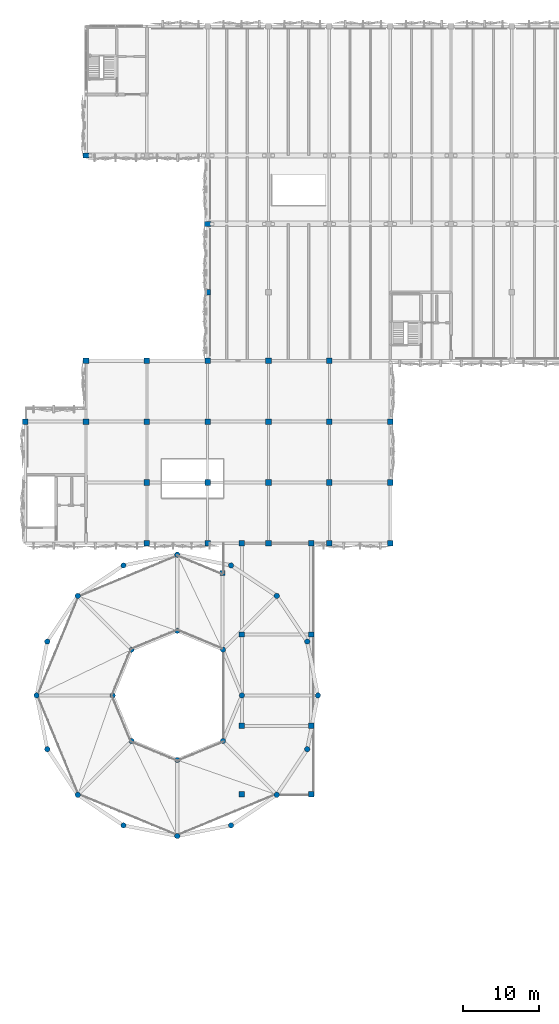
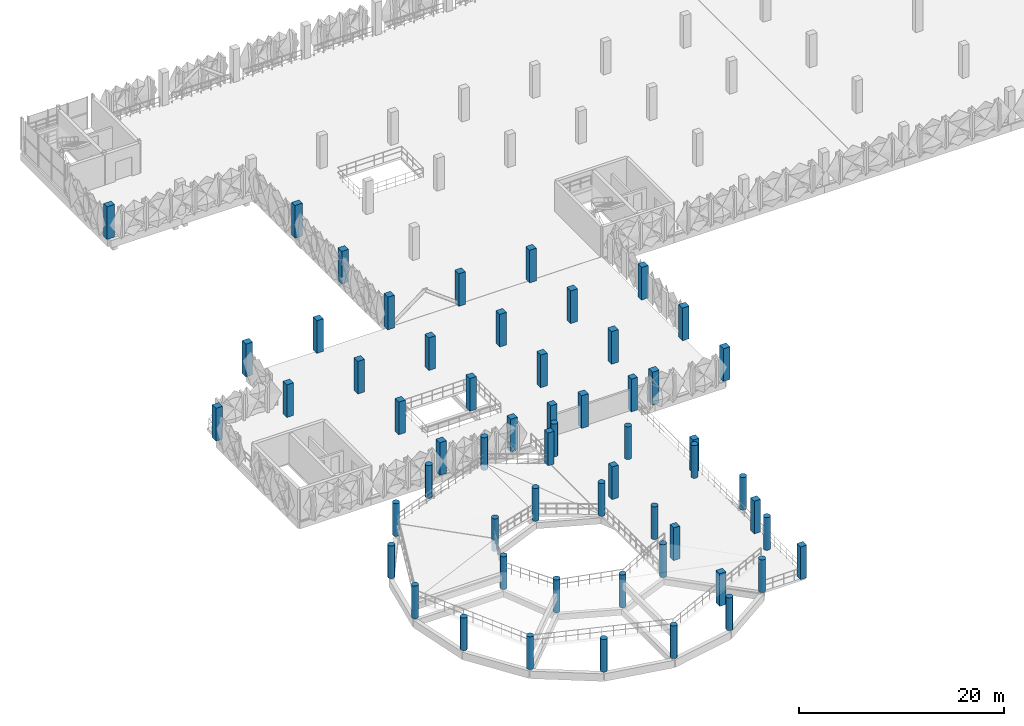
# One storey, part 1 of 83: 58 columns.
"""IFC4 building model written with IfcOpenShell, lengths in metres."""

from ifc_helpers import new_model, si_unit, derived_unit, direction, frame, origin, origin_2d, place, context, subcontext, project, spatial, rectangle, circle, extrude, material, material_profile, profile_set, type_object, element, save


model = new_model("IFC4")

# Units and contexts
model_context = context("Model", 3, precision=1e-05, world=origin(), true_north=direction((0.0, 1.0)))
body_context = subcontext(model_context, "Body", "Model", "MODEL_VIEW")
ifc_project = project(units=[si_unit("LENGTHUNIT", "METRE"), si_unit("AREAUNIT", "SQUARE_METRE"), si_unit("VOLUMEUNIT", "CUBIC_METRE"), si_unit("PLANEANGLEUNIT", "RADIAN"), si_unit("MASSUNIT", "GRAM", prefix="KILO"), si_unit("THERMODYNAMICTEMPERATUREUNIT", "KELVIN"), derived_unit("THERMALTRANSMITTANCEUNIT", [(si_unit("POWERUNIT", "WATT"), 1), (si_unit("AREAUNIT", "SQUARE_METRE"), -1), (si_unit("THERMODYNAMICTEMPERATUREUNIT", "KELVIN"), -1)])], contexts=[model_context])

# Site, building, storey
site_placement = place(None, origin())
site = spatial("IfcSite", under=ifc_project, at=site_placement, CompositionType="ELEMENT")
building_placement = place(site_placement, origin())
building = spatial("IfcBuilding", under=site, at=building_placement, Name="Haiyu Intermodal Mobility Hub", CompositionType="ELEMENT")
storey_placement = place(building_placement, frame((0.0, 0.0, 13.39990234375)))
storey = spatial("IfcBuildingStorey", under=building, at=storey_placement, Name="L03", CompositionType="ELEMENT", Elevation=13.39990234375)

# Columns
ifc_material_1 = material(Name="Precast concrete C40", Category="concrete")
ifc_material_profile_1 = material_profile(ifc_material_1, rectangle(XDim=0.75, YDim=0.75, at=origin_2d()), Name="RC750x750")
ifc_profile_set_1 = profile_set([ifc_material_profile_1], Name="Precast concrete C40")
column_type_1 = type_object("IfcColumnType", Name="COL-CC03", PredefinedType="COLUMN", material=ifc_profile_set_1)
for number, where, z_axis, x_axis, name in (
    (1, (38.0, 113.0, 0.0), (0.0, 0.0, 1.0), (1.0, 0.0, 0.0), "Column V3S-4N L03"),
    (2, (22.0, 96.0, 0.0), (0.0, 0.0, 1.0), (1.0, 0.0, 0.0), "Column V4W-2L L03"),
    (3, (30.0, 88.0, 0.0), (0.0, 0.0, 1.0), (1.0, 0.0, 0.0), "Column V4W-3K L03"),
    (4, (30.0, 96.0, 0.0), (0.0, 0.0, 1.0), (1.0, 0.0, 0.0), "Column V4W-3L L03"),
    (5, (38.0, 88.0, 0.0), (0.0, 0.0, 1.0), (1.0, 0.0, 0.0), "Column V4W-4K L03"),
    (6, (38.0, 96.0, 0.0), (0.0, 0.0, 1.0), (1.0, 0.0, 0.0), "Column V4W-4L L03"),
    (7, (46.0, 88.0, 0.0), (0.0, 0.0, 1.0), (1.0, 0.0, 0.0), "Column V4W-5K L03"),
    (8, (46.0, 96.0, 0.0), (0.0, 0.0, 1.0), (1.0, 0.0, 0.0), "Column V4W-5L L03"),
    (9, (54.0, 88.0, 0.0), (0.0, 0.0, 1.0), (1.0, 0.0, 0.0), "Column V4W-6K L03"),
    (10, (54.0, 96.0, 0.0), (0.0, 0.0, 1.0), (1.0, 0.0, 0.0), "Column V4W-6L L03"),
):
    element("IfcColumn", number, at=place(storey_placement, frame(where, z_axis=z_axis, x_axis=x_axis)), inside=storey, type_object=column_type_1, Name=name, PredefinedType="COLUMN", context=body_context, shape_type="SweptSolid", body=[
        extrude(rectangle(XDim=0.75, YDim=0.75, at=origin_2d()), origin(), (0.0, 0.0, 1.0), 3.900146484375),
    ])
ifc_material_profile_2 = material_profile(ifc_material_1, rectangle(XDim=0.75, YDim=0.75, at=origin_2d()), Name="RC750x750")
ifc_profile_set_2 = profile_set([ifc_material_profile_2], Name="Precast concrete C40")
column_type_2 = type_object("IfcColumnType", Name="COL-CC03-EXT", PredefinedType="COLUMN", material=ifc_profile_set_2)
for number, where, z_axis, x_axis, name in (
    (11, (22.0, 104.0, 0.0), (0.0, 0.0, 1.0), (1.0, 0.0, 0.0), "Column V4-2M L03"),
    (12, (30.0, 104.0, 0.0), (0.0, 0.0, 1.0), (1.0, 0.0, 0.0), "Column V4-3M L03"),
    (13, (38.0, 104.0, 0.0), (0.0, 0.0, 1.0), (1.0, 0.0, 0.0), "Column V4-4M L03"),
    (14, (46.0, 104.0, 0.0), (0.0, 0.0, 1.0), (1.0, 0.0, 0.0), "Column V4-5M L03"),
    (15, (54.0, 104.0, 0.0), (0.0, 0.0, 1.0), (1.0, 0.0, 0.0), "Column V4-6M L03"),
    (16, (14.0, 96.0, 0.0), (0.0, 0.0, 1.0), (1.0, 0.0, 0.0), "Column V4W-1L L03"),
    (17, (30.0, 80.0, 0.0), (0.0, 0.0, 1.0), (1.0, 0.0, 0.0), "Column V4W-3J L03"),
    (18, (38.0, 80.0, 0.0), (0.0, 0.0, 1.0), (1.0, 0.0, 0.0), "Column V4W-4J L03"),
    (19, (46.0, 80.0, 0.0), (0.0, 0.0, 1.0), (1.0, 0.0, 0.0), "Column V4W-5J L03"),
    (20, (54.0, 80.0, 0.0), (0.0, 0.0, 1.0), (1.0, 0.0, 0.0), "Column V4W-6J L03"),
    (21, (62.0, 80.0, 0.0), (0.0, 0.0, 1.0), (1.0, 0.0, 0.0), "Column V4W-7J L03"),
    (22, (62.0, 88.0, 0.0), (0.0, 0.0, 1.0), (1.0, 0.0, 0.0), "Column V4W-7K L03"),
    (23, (62.0, 96.0, 0.0), (0.0, 0.0, 1.0), (1.0, 0.0, 0.0), "Column V4W-7L L03"),
):
    element("IfcColumn", number, at=place(storey_placement, frame(where, z_axis=z_axis, x_axis=x_axis)), inside=storey, type_object=column_type_2, Name=name, PredefinedType="COLUMN", context=body_context, shape_type="SweptSolid", body=[
        extrude(rectangle(XDim=0.75, YDim=0.75, at=origin_2d()), origin(), (0.0, 0.0, 1.0), 3.900146484375),
    ])
ifc_material_profile_3 = material_profile(ifc_material_1, rectangle(XDim=0.85009765625, YDim=0.64990234375, at=origin_2d()), Name="RC850x650")
ifc_profile_set_3 = profile_set([ifc_material_profile_3], Name="Precast concrete C40")
column_type_3 = type_object("IfcColumnType", Name="COL-CC05", PredefinedType="COLUMN", material=ifc_profile_set_3)
column_1_placement = place(storey_placement, frame((38.0, 122.0, 0.0), z_axis=(0.0, 0.0, 1.0), x_axis=(1.0, 0.0, 0.0)))
element("IfcColumn", 24, at=column_1_placement, inside=storey, type_object=column_type_3, Name="Column V4-4P L03", PredefinedType="COLUMN", context=body_context, shape_type="SweptSolid", body=[
    extrude(rectangle(XDim=0.85009765625, YDim=0.64990234375, at=origin_2d()), origin(), (0.0, 0.0, 1.0), 3.900146484375),
])
ifc_material_profile_4 = material_profile(ifc_material_1, rectangle(XDim=0.85009765625, YDim=0.64990234375, at=origin_2d()), Name="RC850x650")
ifc_profile_set_4 = profile_set([ifc_material_profile_4], Name="Precast concrete C40")
column_type_4 = type_object("IfcColumnType", Name="COL-CC05-EXT", PredefinedType="COLUMN", material=ifc_profile_set_4)
column_2_placement = place(storey_placement, frame((22.0, 131.0, 0.0), z_axis=(0.0, 0.0, 1.0), x_axis=(1.0, 0.0, 0.0)))
element("IfcColumn", 25, at=column_2_placement, inside=storey, type_object=column_type_4, Name="Column V4-2Q L03", PredefinedType="COLUMN", context=body_context, shape_type="SweptSolid", body=[
    extrude(rectangle(XDim=0.85009765625, YDim=0.64990234375, at=origin_2d()), origin(), (0.0, 0.0, 1.0), 3.900146484375),
])
ifc_material_2 = material(Name="Concrete C40", Category="concrete")
ifc_material_profile_5 = material_profile(ifc_material_2, rectangle(XDim=0.699951171875, YDim=0.699951171875, at=origin_2d()), Name="RC700x700")
ifc_profile_set_5 = profile_set([ifc_material_profile_5], Name="Concrete C40")
column_type_5 = type_object("IfcColumnType", Name="COL-CC08", PredefinedType="COLUMN", material=ifc_profile_set_5)
for number, where, z_axis, x_axis, name in (
    (26, (51.60009765625, 47.0, 0.0), (0.0, 0.0, 1.0), (1.0, 0.0, 0.0), "Column V2L-1 L03"),
    (27, (42.5, 47.0, 0.0), (0.0, 0.0, 1.0), (1.0, 0.0, 0.0), "Column V2LW-1 L03"),
    (28, (51.60009765625, 56.0, 0.0), (0.0, 0.0, 1.0), (1.0, 0.0, 0.0), "Column V2L-2 L03"),
    (29, (42.5, 56.0, 0.0), (0.0, 0.0, 1.0), (1.0, 0.0, 0.0), "Column V2LW-2 L03"),
    (30, (51.60009765625, 68.0, 0.0), (0.0, 0.0, 1.0), (1.0, 0.0, 0.0), "Column V2L-3 L03"),
    (31, (42.5, 68.0, 0.0), (0.0, 0.0, 1.0), (1.0, 0.0, 0.0), "Column V2LW-3 L03"),
    (32, (51.60009765625, 80.0, 0.0), (0.0, 0.0, 1.0), (1.0, 0.0, 0.0), "Column V2L-4 L03"),
    (33, (42.5, 80.0, 0.0), (0.0, 0.0, 1.0), (1.0, 0.0, 0.0), "Column V2LW-4 L03"),
    (34, (39.93994140625, 76.10009765625, 0.0), (0.0, 0.0, 1.0), (1.0, 0.0, 0.0), "Column V2LW-N L03"),
):
    element("IfcColumn", number, at=place(storey_placement, frame(where, z_axis=z_axis, x_axis=x_axis)), inside=storey, type_object=column_type_5, Name=name, PredefinedType="COLUMN", context=body_context, shape_type="SweptSolid", body=[
        extrude(rectangle(XDim=0.699951171875, YDim=0.699951171875, at=origin_2d()), origin(), (0.0, 0.0, 1.0), 3.900146484375),
    ])
ifc_material_profile_6 = material_profile(ifc_material_2, circle(Radius=0.35009765625, at=origin_2d()), Name="RCCOL-D700")
ifc_profile_set_6 = profile_set([ifc_material_profile_6], Name="Concrete C40")
column_type_6 = type_object("IfcColumnType", Name="COL-CR02", PredefinedType="COLUMN", material=ifc_profile_set_6)
for number, where, z_axis, x_axis, name in (
    (35, (42.5, 60.0, 0.0), (0.0, 0.0, 1.0), (1.0, 0.0, 0.0), "Column V2I-01 L03"),
    (36, (40.010009765625, 66.010009765625, 0.0), (0.0, 0.0, 1.0), (1.0, 0.0, 0.0), "Column V2I-02 L03"),
    (37, (34.0, 68.5, 0.0), (0.0, 0.0, 1.0), (1.0, 0.0, 0.0), "Column V2I-03 L03"),
    (38, (27.989990234375, 66.010009765625, 0.0), (0.0, 0.0, 1.0), (1.0, 0.0, 0.0), "Column V2I-04 L03"),
    (39, (25.5, 60.0, 0.0), (0.0, 0.0, 1.0), (1.0, 0.0, 0.0), "Column V2I-05 L03"),
    (40, (27.989990234375, 53.989990234375, 0.0), (0.0, 0.0, 1.0), (1.0, 0.0, 0.0), "Column V2I-06 L03"),
    (41, (34.0, 51.5, 0.0), (0.0, 0.0, 1.0), (1.0, 0.0, 0.0), "Column V2I-07 L03"),
    (42, (40.010009765625, 53.989990234375, 0.0), (0.0, 0.0, 1.0), (1.0, 0.0, 0.0), "Column V2I-08 L03"),
):
    element("IfcColumn", number, at=place(storey_placement, frame(where, z_axis=z_axis, x_axis=x_axis)), inside=storey, type_object=column_type_6, Name=name, PredefinedType="COLUMN", context=body_context, shape_type="SweptSolid", body=[
        extrude(circle(Radius=0.35009765625, at=origin_2d()), origin(), (0.0, 0.0, 1.0), 3.900146484375),
    ])
ifc_material_profile_7 = material_profile(ifc_material_2, circle(Radius=0.35009765625, at=origin_2d()), Name="RCCOL-D700")
ifc_profile_set_7 = profile_set([ifc_material_profile_7], Name="Concrete C40")
column_type_7 = type_object("IfcColumnType", Name="COL-CR02-EXT", PredefinedType="COLUMN", material=ifc_profile_set_7)
for number, where, z_axis, x_axis, name in (
    (43, (52.5, 60.0, 0.0), (0.0, 0.0, 1.0), (1.0, 0.0, 0.0), "Column V2O-01 L03"),
    (44, (51.092041015625, 67.080078125, 0.0), (0.0, 0.0, 1.0), (1.0, 0.0, 0.0), "Column V2O-02 L03"),
    (45, (47.0810546875, 73.0810546875, 0.0), (0.0, 0.0, 1.0), (1.0, 0.0, 0.0), "Column V2O-03 L03"),
    (46, (41.080078125, 77.092041015625, 0.0), (0.0, 0.0, 1.0), (1.0, 0.0, 0.0), "Column V2O-04 L03"),
    (47, (34.0, 78.5, 0.0), (0.0, 0.0, 1.0), (1.0, 0.0, 0.0), "Column V2O-05 L03"),
    (48, (26.919921875, 77.092041015625, 0.0), (0.0, 0.0, 1.0), (1.0, 0.0, 0.0), "Column V2O-06 L03"),
    (49, (20.9189453125, 73.0810546875, 0.0), (0.0, 0.0, 1.0), (1.0, 0.0, 0.0), "Column V2O-07 L03"),
    (50, (16.907958984375, 67.080078125, 0.0), (0.0, 0.0, 1.0), (1.0, 0.0, 0.0), "Column V2O-08 L03"),
    (51, (15.5, 60.0, 0.0), (0.0, 0.0, 1.0), (1.0, 0.0, 0.0), "Column V2O-09 L03"),
    (52, (16.907958984375, 52.919921875, 0.0), (0.0, 0.0, 1.0), (1.0, 0.0, 0.0), "Column V2O-10 L03"),
    (53, (20.9189453125, 46.9189453125, 0.0), (0.0, 0.0, 1.0), (1.0, 0.0, 0.0), "Column V2O-11 L03"),
    (54, (26.919921875, 42.907958984375, 0.0), (0.0, 0.0, 1.0), (1.0, 0.0, 0.0), "Column V2O-12 L03"),
    (55, (34.0, 41.5, 0.0), (0.0, 0.0, 1.0), (1.0, 0.0, 0.0), "Column V2O-13 L03"),
    (56, (41.080078125, 42.907958984375, 0.0), (0.0, 0.0, 1.0), (1.0, 0.0, 0.0), "Column V2O-14 L03"),
    (57, (47.0810546875, 46.9189453125, 0.0), (0.0, 0.0, 1.0), (1.0, 0.0, 0.0), "Column V2O-15 L03"),
    (58, (51.092041015625, 52.919921875, 0.0), (0.0, 0.0, 1.0), (1.0, 0.0, 0.0), "Column V2O-16 L03"),
):
    element("IfcColumn", number, at=place(storey_placement, frame(where, z_axis=z_axis, x_axis=x_axis)), inside=storey, type_object=column_type_7, Name=name, PredefinedType="COLUMN", context=body_context, shape_type="SweptSolid", body=[
        extrude(circle(Radius=0.35009765625, at=origin_2d()), origin(), (0.0, 0.0, 1.0), 3.900146484375),
    ])

save(model, "model.ifc")
